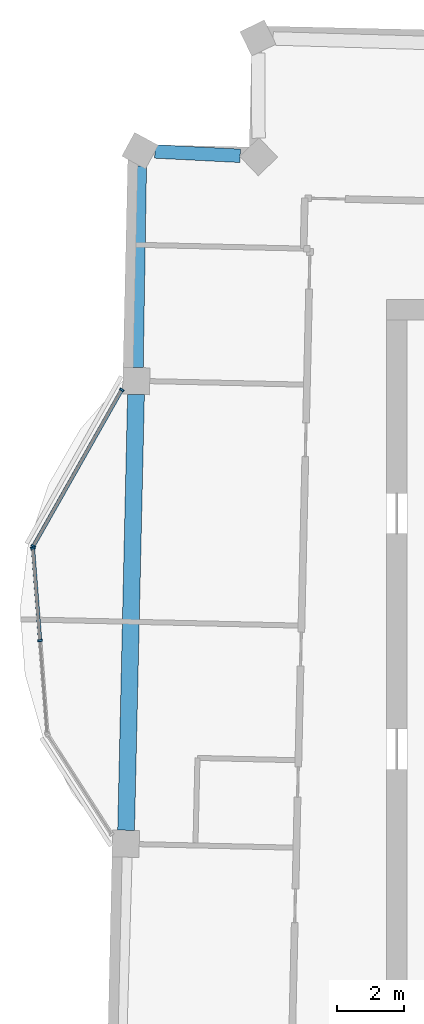
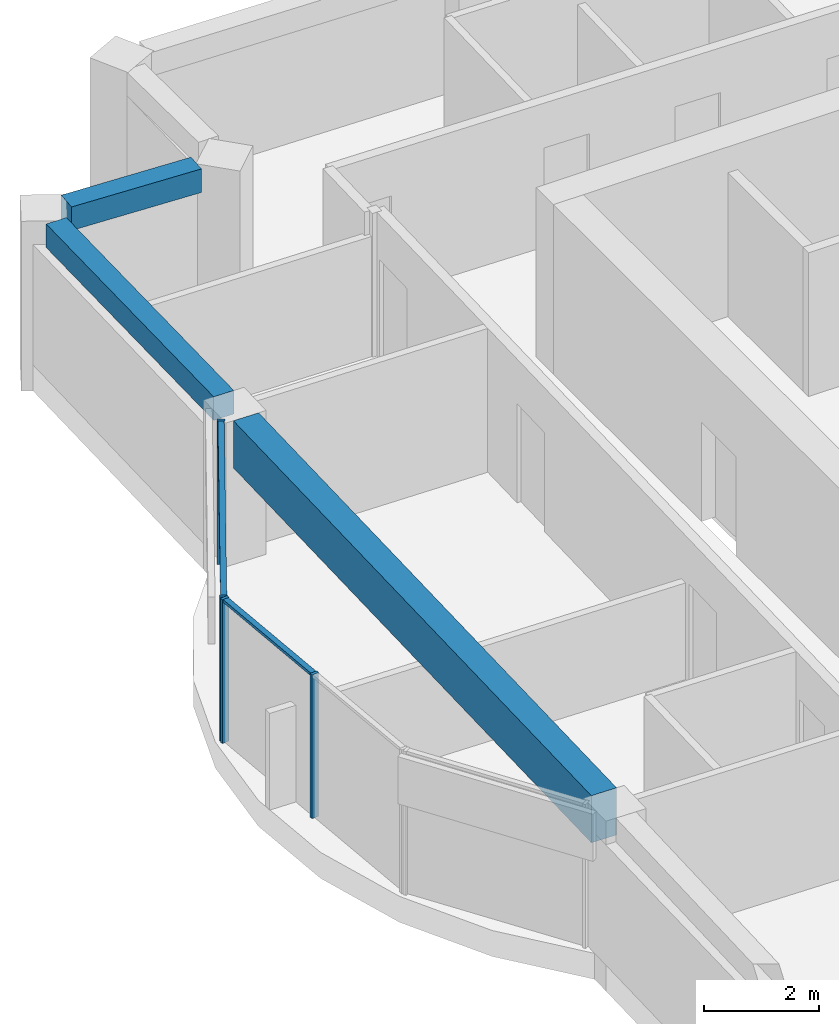
# One storey, part 4 of 12: 6 members, 3 beams, 2 elements without a shape of their own.
"""IFC4 building model written with IfcOpenShell, lengths in metres."""

from ifc_helpers import new_model, si_unit, direction, frame, origin, origin_2d, place, context, subcontext, project, spatial, rectangle, extrude, material, material_profile, profile_set, type_object, element, aggregate, save


model = new_model("IFC4")

# Units and contexts
model_context = context("Model", 3, precision=1e-05, world=origin(), true_north=direction((0.0, 1.0)))
body_context = subcontext(model_context, "Body", "Model", "MODEL_VIEW")
ifc_project = project(units=[si_unit("LENGTHUNIT", "METRE"), si_unit("AREAUNIT", "SQUARE_METRE"), si_unit("VOLUMEUNIT", "CUBIC_METRE"), si_unit("PLANEANGLEUNIT", "RADIAN"), si_unit("MASSUNIT", "GRAM", prefix="KILO")], contexts=[model_context])

# Site, building, storey
site_placement = place(None, origin())
site = spatial("IfcSite", under=ifc_project, at=site_placement, CompositionType="ELEMENT")
building_placement = place(site_placement, origin())
building = spatial("IfcBuilding", under=site, at=building_placement, Name="Mangrove Gate Tower", CompositionType="ELEMENT")
storey_placement = place(building_placement, frame((0.0, 0.0, 350.699951171875)))
storey = spatial("IfcBuildingStorey", under=building, at=storey_placement, Name="L89", CompositionType="ELEMENT", Elevation=350.699951171875)

# Curtain wall, members
ifc_material_1 = material(Name="Aluminium and glass curtain wall", Category="aluminium")
curtain_wall_type = type_object("IfcCurtainWallType", Name="Crown garden glazing wall", PredefinedType="NOTDEFINED", material=ifc_material_1)
curtain_wall_1_placement = place(storey_placement, origin())
curtain_wall_1 = element("IfcCurtainWall", 1, at=curtain_wall_1_placement, inside=storey, type_object=curtain_wall_type, Name="Crown garden glazing W9f1", PredefinedType="NOTDEFINED")
ifc_material_2 = material(Name="Aluminium alloy 6063-T6", Category="aluminium")
ifc_material_profile_1 = material_profile(ifc_material_2, rectangle(XDim=0.06005859375, YDim=0.139892578125, at=origin_2d()))
ifc_profile_set_1 = profile_set([ifc_material_profile_1], Name="Aluminium alloy 6063-T6")
member_type_1 = type_object("IfcMemberType", Name="Crown garden glazing mullion 60x140", PredefinedType="MULLION", material=ifc_profile_set_1)
member_1_placement = place(storey_placement, frame((-22.269287109375, 8.72412109375, 0.0), z_axis=(0.0, 0.0, 1.0), x_axis=(-0.492564965879, -0.870275677236, 0.0)))
member_1 = element("IfcMember", 2, at=member_1_placement, type_object=member_type_1, Name="CWC mullion 1", PredefinedType="MULLION", context=body_context, shape_type="SweptSolid", body=[
    extrude(rectangle(XDim=0.06005859375, YDim=0.139892578125, at=origin_2d()), origin(), (0.0, 0.0, 1.0), 3.050048828125),
])
member_2_placement = place(storey_placement, frame((-24.8984375, 4.0791015625, 0.0), z_axis=(0.0, 0.0, 1.0), x_axis=(-0.492564965879, -0.870275677236, 0.0)))
member_2 = element("IfcMember", 3, at=member_2_placement, type_object=member_type_1, Name="CWC mullion 2", PredefinedType="MULLION", context=body_context, shape_type="SweptSolid", body=[
    extrude(rectangle(XDim=0.06005859375, YDim=0.139892578125, at=origin_2d()), origin(), (0.0, 0.0, 1.0), 3.050048828125),
])

curtain_wall_2_placement = place(storey_placement, origin())
curtain_wall_2 = element("IfcCurtainWall", 4, at=curtain_wall_2_placement, inside=storey, type_object=curtain_wall_type, Name="Crown garden glazing W9f2", PredefinedType="NOTDEFINED")
member_3_placement = place(storey_placement, frame((-24.910888671875, 4.02294921875, 0.0), z_axis=(0.0, 0.0, 1.0), x_axis=(0.077023348403, -0.997029289339, 0.0)))
member_3 = element("IfcMember", 5, at=member_3_placement, type_object=member_type_1, Name="CWC mullion 1", PredefinedType="MULLION", context=body_context, shape_type="SweptSolid", body=[
    extrude(rectangle(XDim=0.06005859375, YDim=0.139892578125, at=origin_2d()), origin(), (0.0, 0.0, 1.0), 3.050048828125),
])
member_4_placement = place(storey_placement, frame((-24.698486328125, 1.2744140625, 0.0), z_axis=(0.0, 0.0, 1.0), x_axis=(0.077023348403, -0.997029289339, 0.0)))
member_4 = element("IfcMember", 6, at=member_4_placement, type_object=member_type_1, Name="CWC mullion 2", PredefinedType="MULLION", context=body_context, shape_type="SweptSolid", body=[
    extrude(rectangle(XDim=0.06005859375, YDim=0.139892578125, at=origin_2d()), origin(), (0.0, 0.0, 1.0), 3.050048828125),
])

# Member
ifc_material_3 = material(Name="Aluminium alloy 6063-T6", Category="aluminium")
ifc_material_profile_2 = material_profile(ifc_material_3, rectangle(XDim=0.06005859375, YDim=0.110107421875, at=origin_2d()))
ifc_profile_set_2 = profile_set([ifc_material_profile_2], Name="Aluminium alloy 6063-T6")
member_type_2 = type_object("IfcMemberType", Name="Crown garden glazing transom 60x110", PredefinedType="USERDEFINED", material=ifc_profile_set_2)
member_5_placement = place(storey_placement, frame((-22.2841796875, 8.697998046875, 3.02001953125), z_axis=(-0.492552605665, -0.870282672844, 0.0), x_axis=(0.0, 0.0, 1.0)))
member_5 = element("IfcMember", 7, at=member_5_placement, type_object=member_type_2, Name="CWC transom 1.2", ObjectType="TRANSOM", PredefinedType="USERDEFINED", context=body_context, shape_type="SweptSolid", body=[
    extrude(rectangle(XDim=0.06005859375, YDim=0.110107421875, at=origin_2d()), origin(), (0.0, 0.0, 1.0), 5.27734375),
])

aggregate(curtain_wall_1, [member_1, member_2, member_5])

member_6_placement = place(storey_placement, frame((-24.908447265625, 3.9931640625, 3.02001953125), z_axis=(0.076952650158, -0.997034748458, 0.0), x_axis=(0.0, 0.0, 1.0)))
member_6 = element("IfcMember", 8, at=member_6_placement, type_object=member_type_2, Name="CWC transom 1.2", ObjectType="TRANSOM", PredefinedType="USERDEFINED", context=body_context, shape_type="SweptSolid", body=[
    extrude(rectangle(XDim=0.06005859375, YDim=0.110107421875, at=origin_2d()), origin(), (0.0, 0.0, 1.0), 2.69677734375),
])

aggregate(curtain_wall_2, [member_3, member_4, member_6])

# Beams
ifc_material_4 = material(Name="Concrete C50/60", Category="concrete")
ifc_material_profile_3 = material_profile(ifc_material_4, rectangle(XDim=0.39990234375, YDim=0.5, at=origin_2d()))
ifc_profile_set_3 = profile_set([ifc_material_profile_3], Name="Concrete C50/60")
beam_type_1 = type_object("IfcBeamType", Name="Edge beam RC 400x500 C50/60", PredefinedType="BEAM", material=ifc_profile_set_3)
beam_1_placement = place(storey_placement, frame((-18.753173828125, 15.67578125, 2.800048828125), z_axis=(-0.998701144526, 0.050951191576, 0.0), x_axis=(-0.050951191576, -0.998701144526, 0.0)))
element("IfcBeam", 9, at=beam_1_placement, inside=storey, type_object=beam_type_1, Name="Edge beam L89 23", PredefinedType="BEAM", context=body_context, shape_type="SweptSolid", body=[
    extrude(rectangle(XDim=0.39990234375, YDim=0.5, at=origin_2d()), origin(), (0.0, 0.0, 1.0), 2.53466796875),
])
beam_2_placement = place(storey_placement, frame((-21.734619140625, 15.376708984375, 2.800048828125), z_axis=(-0.016339818445, -0.999866496255, 0.0), x_axis=(0.999866496255, -0.016339818445, 0.0)))
element("IfcBeam", 10, at=beam_2_placement, inside=storey, type_object=beam_type_1, Name="Edge beam L89 24", PredefinedType="BEAM", context=body_context, shape_type="SweptSolid", body=[
    extrude(rectangle(XDim=0.39990234375, YDim=0.5, at=origin_2d()), origin(), (0.0, 0.0, 1.0), 5.991455078125),
])
ifc_material_5 = material(Name="Concrete C50/60", Category="concrete")
ifc_material_profile_4 = material_profile(ifc_material_5, rectangle(XDim=0.5, YDim=1.0, at=origin_2d()))
ifc_profile_set_4 = profile_set([ifc_material_profile_4], Name="Concrete C50/60")
beam_type_2 = type_object("IfcBeamType", Name="Edge beam RC 500x1000 C50/60", PredefinedType="BEAM", material=ifc_profile_set_4)
beam_3_placement = place(storey_placement, frame((-21.84814453125, 8.5859375, 2.550048828125), z_axis=(-0.022697852467, -0.99974237056, 0.0), x_axis=(0.99974237056, -0.022697852467, 0.0)))
element("IfcBeam", 11, at=beam_3_placement, inside=storey, type_object=beam_type_2, Name="Edge beam L89 25", PredefinedType="BEAM", context=body_context, shape_type="SweptSolid", body=[
    extrude(rectangle(XDim=0.5, YDim=1.0, at=origin_2d()), origin(), (0.0, 0.0, 1.0), 12.950439453125),
])

save(model, "model.ifc")
